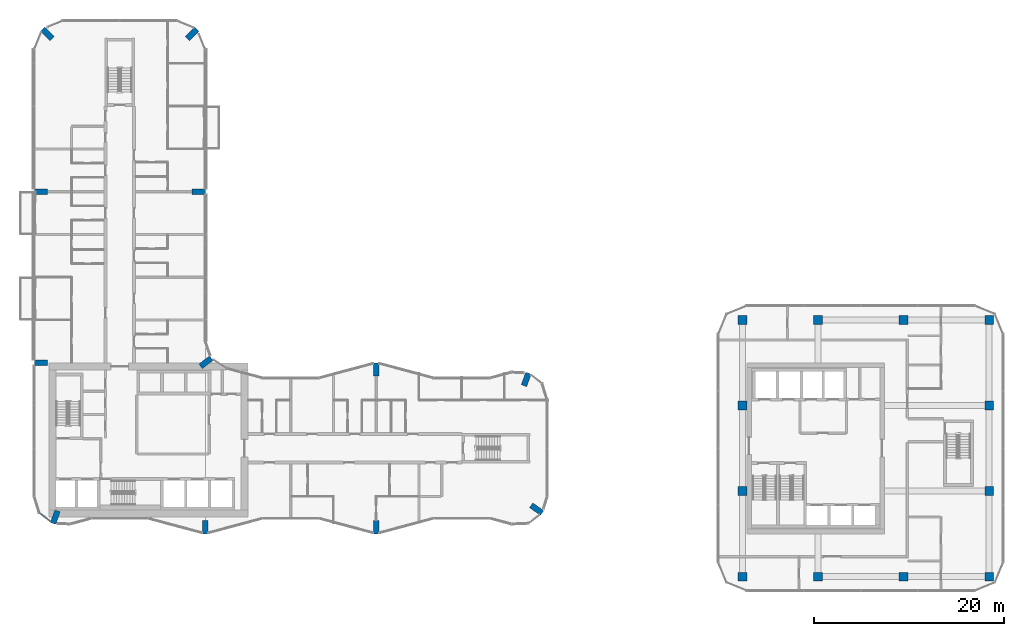
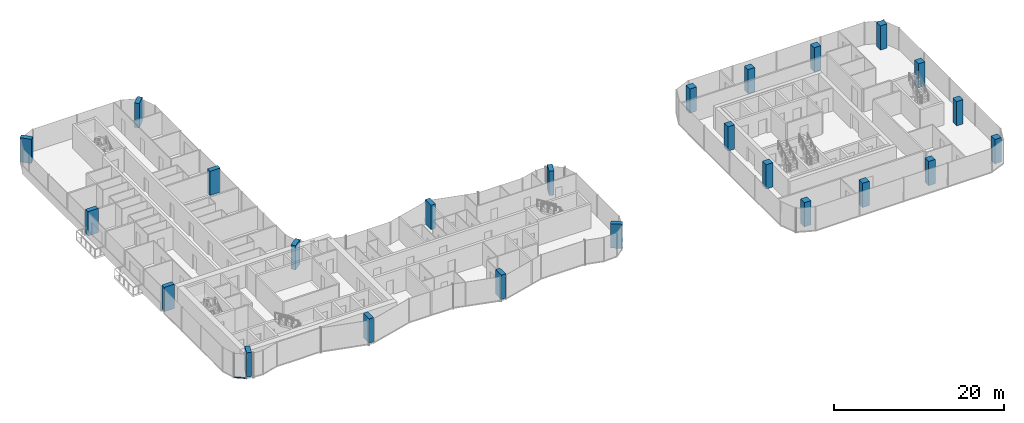
# One storey, part 1 of 24: 24 columns, 1 member, 1 element without a shape of its own.
"""IFC4 building model written with IfcOpenShell, lengths in metres."""

from ifc_helpers import new_model, si_unit, direction, frame, origin, origin_2d, place, context, subcontext, project, spatial, rectangle, extrude, material, layer, layer_set, material_profile, profile_set, type_object, element, aggregate, save


model = new_model("IFC4")

# Units and contexts
model_context = context("Model", 3, precision=1e-05, world=origin(), true_north=direction((0.0, 1.0)))
body_context = subcontext(model_context, "Body", "Model", "MODEL_VIEW")
ifc_project = project(units=[si_unit("LENGTHUNIT", "METRE"), si_unit("AREAUNIT", "SQUARE_METRE"), si_unit("VOLUMEUNIT", "CUBIC_METRE"), si_unit("PLANEANGLEUNIT", "RADIAN"), si_unit("MASSUNIT", "GRAM", prefix="KILO")], contexts=[model_context])

# Site, building, storey
site_placement = place(None, origin())
site = spatial("IfcSite", under=ifc_project, at=site_placement, CompositionType="ELEMENT")
building_placement = place(site_placement, origin())
building = spatial("IfcBuilding", under=site, at=building_placement, Name="Plateau Cross Towers", CompositionType="ELEMENT")
storey_placement = place(building_placement, frame((0.0, 0.0, 44.300048828125)))
storey = spatial("IfcBuildingStorey", under=building, at=storey_placement, Name="L10", CompositionType="ELEMENT", Elevation=44.300048828125)

# Columns
ifc_material_1 = material(Name="Concrete C60/75", Category="concrete")
ifc_material_profile_1 = material_profile(ifc_material_1, rectangle(XDim=0.60009765625, YDim=1.39990234375, at=origin_2d()), Name="RC 600x1400")
ifc_profile_set_1 = profile_set([ifc_material_profile_1], Name="Concrete C60/75")
column_type_1 = type_object("IfcColumnType", Name="Fin pier column RC 600x1400", PredefinedType="COLUMN", material=ifc_profile_set_1)
for number, where, z_axis, x_axis, name in (
    (1, (18.0, 0.699951171875, 0.0), (0.0, 0.0, 1.0), (1.0, 0.0, 0.0), "PR1 L10"),
    (2, (36.0, 0.699951171875, 0.0), (0.0, 0.0, 1.0), (1.0, 0.0, 0.0), "PR2 L10"),
    (3, (52.884033203125, 2.590087890625, 0.0), (0.0, 0.0, 1.0), (0.573542637991, 0.819175709117, 0.0), "PR3 L10"),
    (4, (51.786865234375, 16.251953125, 0.0), (0.0, 0.0, 1.0), (-0.939664280925, 0.342097996418, 0.0), "PR4 L10"),
    (5, (36.0, 17.300048828125, 0.0), (0.0, 0.0, 1.0), (1.0, 0.0, 0.0), "PR5 L10"),
    (6, (18.064697265625, 18.049560546875, 0.0), (0.0, 0.0, 1.0), (-0.608810846443, 0.793315418515, 0.0), "PR6 L10"),
    (7, (17.300048828125, 36.0, 0.0), (0.0, 0.0, 1.0), (0.0, 1.0, 0.0), "PR7 L10"),
    (8, (16.62646484375, 52.62646484375, 0.0), (0.0, 0.0, 1.0), (-0.707106781187, 0.707106781187, 0.0), "PR8 L10"),
    (9, (1.37353515625, 52.62646484375, 0.0), (0.0, 0.0, 1.0), (0.707106781187, 0.707106781187, 0.0), "PR9 L10"),
    (10, (0.699951171875, 36.0, 0.0), (0.0, 0.0, 1.0), (0.0, 1.0, 0.0), "PR10 L10"),
    (11, (0.699951171875, 18.0, 0.0), (0.0, 0.0, 1.0), (0.0, 1.0, 0.0), "PR11 L10"),
    (12, (2.213134765625, 1.748046875, 0.0), (0.0, 0.0, 1.0), (-0.939664280925, 0.342097996418, 0.0), "PR12 L10"),
):
    element("IfcColumn", number, at=place(storey_placement, frame(where, z_axis=z_axis, x_axis=x_axis)), inside=storey, type_object=column_type_1, Name=name, PredefinedType="COLUMN", context=body_context, shape_type="SweptSolid", body=[
        extrude(rectangle(XDim=0.60009765625, YDim=1.39990234375, at=origin_2d()), origin(), (0.0, 0.0, 1.0), 3.5),
    ])
ifc_material_profile_2 = material_profile(ifc_material_1, rectangle(XDim=0.89990234375, YDim=0.89990234375, at=origin_2d()), Name="RC 900x900")
ifc_profile_set_2 = profile_set([ifc_material_profile_2], Name="Concrete C60/75")
column_type_2 = type_object("IfcColumnType", Name="Office column RC 900x900", PredefinedType="COLUMN", material=ifc_profile_set_2)
for number, where, z_axis, x_axis, name in (
    (13, (74.550048828125, -4.5, 0.0), (0.0, 0.0, 1.0), (1.0, 0.0, 0.0), "B-C746_-45 L10"),
    (14, (82.5, -4.5, 0.0), (0.0, 0.0, 1.0), (1.0, 0.0, 0.0), "B-C825_-45 L10"),
    (15, (91.5, -4.5, 0.0), (0.0, 0.0, 1.0), (1.0, 0.0, 0.0), "B-C915_-45 L10"),
    (16, (100.5, -4.5, 0.0), (0.0, 0.0, 1.0), (1.0, 0.0, 0.0), "B-C1005_-45 L10"),
    (17, (100.5, 4.5, 0.0), (0.0, 0.0, 1.0), (1.0, 0.0, 0.0), "B-C1005_45 L10"),
    (18, (100.5, 13.5, 0.0), (0.0, 0.0, 1.0), (1.0, 0.0, 0.0), "B-C1005_135 L10"),
    (19, (100.5, 22.5, 0.0), (0.0, 0.0, 1.0), (1.0, 0.0, 0.0), "B-C1005_225 L10"),
    (20, (91.5, 22.5, 0.0), (0.0, 0.0, 1.0), (1.0, 0.0, 0.0), "B-C915_225 L10"),
    (21, (82.5, 22.5, 0.0), (0.0, 0.0, 1.0), (1.0, 0.0, 0.0), "B-C825_225 L10"),
    (22, (74.550048828125, 22.5, 0.0), (0.0, 0.0, 1.0), (1.0, 0.0, 0.0), "B-C746_225 L10"),
    (23, (74.550048828125, 13.5, 0.0), (0.0, 0.0, 1.0), (1.0, 0.0, 0.0), "B-C746_135 L10"),
    (24, (74.550048828125, 4.5, 0.0), (0.0, 0.0, 1.0), (1.0, 0.0, 0.0), "B-C746_45 L10"),
):
    element("IfcColumn", number, at=place(storey_placement, frame(where, z_axis=z_axis, x_axis=x_axis)), inside=storey, type_object=column_type_2, Name=name, PredefinedType="COLUMN", context=body_context, shape_type="SweptSolid", body=[
        extrude(rectangle(XDim=0.89990234375, YDim=0.89990234375, at=origin_2d()), origin(), (0.0, 0.0, 1.0), 3.5),
    ])

# Curtain wall, member
ifc_material_2 = material(Name="Dark low-iron glass", Category="glass")
ifc_layer = layer(ifc_material_2, 0.239990234375)
ifc_layer_set = layer_set([ifc_layer], Name="Dark low-iron glass")
curtain_wall_type = type_object("IfcCurtainWallType", Name="Curtain wall flush unitised CW-B", PredefinedType="NOTDEFINED", material=ifc_layer_set)
curtain_wall_placement = place(storey_placement, origin())
curtain_wall = element("IfcCurtainWall", 25, at=curtain_wall_placement, inside=storey, type_object=curtain_wall_type, Name="ENV/A/L10/A5_22", PredefinedType="NOTDEFINED")
ifc_material_3 = material(Name="Black anodised aluminium", Category="aluminium")
ifc_material_profile_3 = material_profile(ifc_material_3, rectangle(XDim=0.10009765625, YDim=0.1201171875, at=origin_2d()), Name="TRANSOM 100x120")
ifc_profile_set_3 = profile_set([ifc_material_profile_3], Name="Black anodised aluminium")
member_type = type_object("IfcMemberType", Name="Transom 100x120 flush unitised", PredefinedType="USERDEFINED", material=ifc_profile_set_3)
member_placement = place(storey_placement, frame((0.54248046875, 2.1884765625, -0.18994140625), z_axis=(0.793320508571, -0.608804213751, 0.0), x_axis=(0.608804213751, 0.793320508571, 0.0)))
member = element("IfcMember", 26, at=member_placement, type_object=member_type, Name="CW-B transom", ObjectType="TRANSOM", PredefinedType="USERDEFINED", context=body_context, shape_type="SweptSolid", body=[
    extrude(rectangle(XDim=0.10009765625, YDim=0.1201171875, at=origin_2d()), origin(), (0.0, 0.0, 1.0), 1.471435546875),
])
aggregate(curtain_wall, [member])

save(model, "model.ifc")
